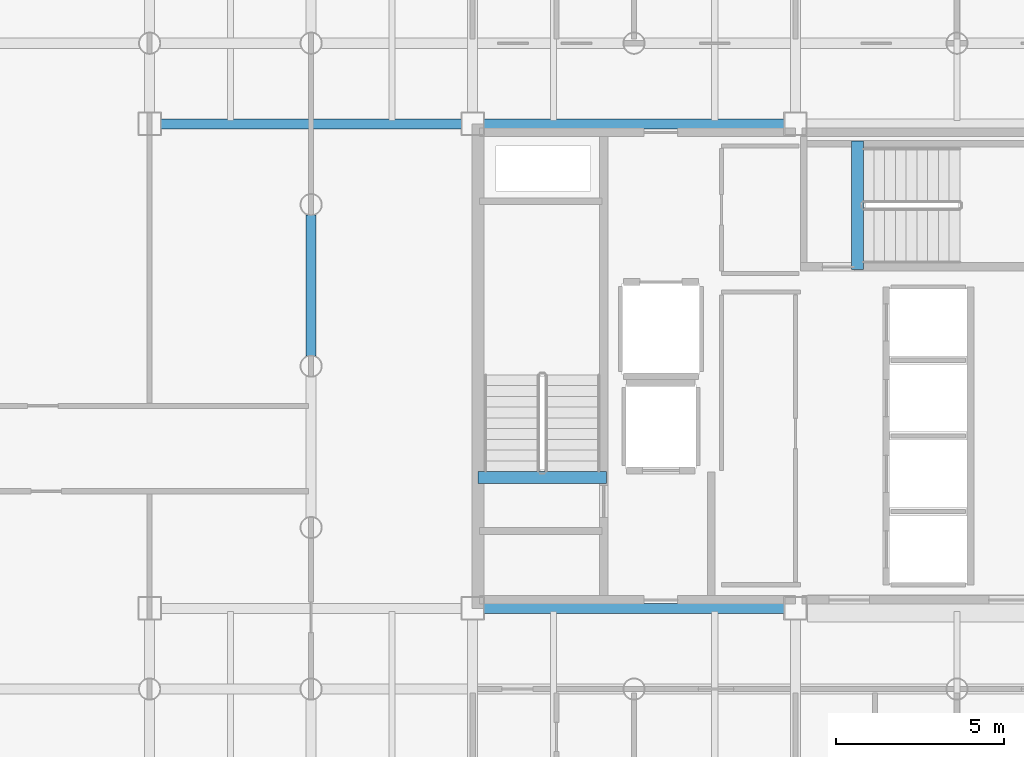
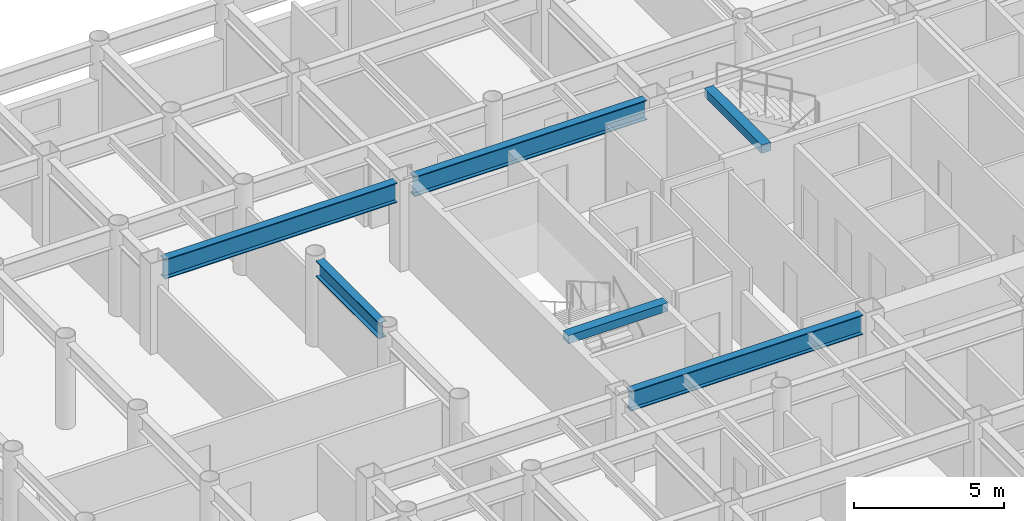
# One storey, part 5 of 20: 6 beams.
"""IFC4 building model written with IfcOpenShell, lengths in metres."""

from ifc_helpers import new_model, si_unit, direction, frame, origin, origin_2d, place, context, subcontext, project, spatial, rectangle, i_section, extrude, material, material_profile, profile_set, type_object, element, save


model = new_model("IFC4")

# Units and contexts
model_context = context("Model", 3, precision=1e-05, world=origin(), true_north=direction((0.0, 1.0)))
body_context = subcontext(model_context, "Body", "Model", "MODEL_VIEW")
ifc_project = project(units=[si_unit("LENGTHUNIT", "METRE"), si_unit("AREAUNIT", "SQUARE_METRE"), si_unit("VOLUMEUNIT", "CUBIC_METRE"), si_unit("PLANEANGLEUNIT", "RADIAN"), si_unit("MASSUNIT", "GRAM", prefix="KILO")], contexts=[model_context])

# Site, building, storey
site_placement = place(None, origin())
site = spatial("IfcSite", under=ifc_project, at=site_placement, CompositionType="ELEMENT")
building_placement = place(site_placement, origin())
building = spatial("IfcBuilding", under=site, at=building_placement, Name="Kallvorn Hotel Tower", CompositionType="ELEMENT")
storey_placement = place(building_placement, frame((0.0, 0.0, 158.10009765625)))
storey = spatial("IfcBuildingStorey", under=building, at=storey_placement, Name="L39", CompositionType="ELEMENT", Elevation=158.10009765625)

# Beams
ifc_material_1 = material(Name="Structural steel S355JR", Category="steel")
ifc_material_profile_1 = material_profile(ifc_material_1, i_section(OverallWidth=0.300048828125, OverallDepth=0.64990234375, WebThickness=0.01611328125, FlangeThickness=0.031005859375, at=origin_2d()), Name="HE 650 B")
ifc_profile_set_1 = profile_set([ifc_material_profile_1], Name="Structural steel S355JR")
beam_type_1 = type_object("IfcBeamType", Name="BM_HE650B", PredefinedType="BEAM", material=ifc_profile_set_1)
beam_1_placement = place(storey_placement, frame((-19.199951171875, 0.304931640625, 3.19482421875), z_axis=(0.0, 1.0, 0.0), x_axis=(-1.0, 0.0, 0.0)))
element("IfcBeam", 1, at=beam_1_placement, inside=storey, type_object=beam_type_1, Name="L40 Primary Y-Girder 94", PredefinedType="BEAM", context=body_context, shape_type="SweptSolid", body=[
    extrude(i_section(OverallWidth=0.300048828125, OverallDepth=0.64990234375, WebThickness=0.01611328125, FlangeThickness=0.031005859375, at=origin_2d()), origin(), (0.0, 0.0, 1.0), 4.190185546875),
])
ifc_material_2 = material(Name="Structural steel S355JR", Category="steel")
ifc_material_profile_2 = material_profile(ifc_material_2, i_section(OverallWidth=0.300048828125, OverallDepth=0.800048828125, WebThickness=0.017578125, FlangeThickness=0.032958984375, at=origin_2d()), Name="HE 800 B")
ifc_profile_set_2 = profile_set([ifc_material_profile_2], Name="Structural steel S355JR")
beam_type_2 = type_object("IfcBeamType", Name="BM_HE800B", PredefinedType="BEAM", material=ifc_profile_set_2)
for number, where, z_axis, x_axis, name in (
    (2, (-14.074951171875, -7.199951171875, 3.119873046875), (1.0, 0.0, 0.0), (0.0, 1.0, 0.0), "L40 Primary X-Girder 34"),
    (3, (-23.675048828125, 7.199951171875, 3.119873046875), (1.0, 0.0, 0.0), (0.0, 1.0, 0.0), "L40 Primary X-Girder 37"),
    (4, (-14.074951171875, 7.199951171875, 3.119873046875), (1.0, 0.0, 0.0), (0.0, 1.0, 0.0), "L40 Primary X-Girder 38"),
):
    element("IfcBeam", number, at=place(storey_placement, frame(where, z_axis=z_axis, x_axis=x_axis)), inside=storey, type_object=beam_type_2, Name=name, PredefinedType="BEAM", context=body_context, shape_type="SweptSolid", body=[
        extrude(i_section(OverallWidth=0.300048828125, OverallDepth=0.800048828125, WebThickness=0.017578125, FlangeThickness=0.032958984375, at=origin_2d()), origin(), (0.0, 0.0, 1.0), 8.949951171875),
    ])
ifc_material_3 = material(Name="Concrete C50/60", Category="concrete")
ifc_material_profile_3 = material_profile(ifc_material_3, rectangle(XDim=0.360107421875, YDim=0.340087890625, at=origin_2d()), Name="RC 360x340")
ifc_profile_set_3 = profile_set([ifc_material_profile_3], Name="Concrete C50/60")
beam_type_3 = type_object("IfcBeamType", Name="BM_RC_400x360", PredefinedType="BEAM", material=ifc_profile_set_3)
beam_2_placement = place(storey_placement, frame((-10.419921875, -3.31005859375, 3.349853515625), z_axis=(-1.0, 0.0, 0.0), x_axis=(0.0, -1.0, 0.0)))
element("IfcBeam", 5, at=beam_2_placement, inside=storey, type_object=beam_type_3, Name="L40 Stair ST1 Arrival Trimmer Beam", PredefinedType="BEAM", context=body_context, shape_type="SweptSolid", body=[
    extrude(rectangle(XDim=0.360107421875, YDim=0.340087890625, at=origin_2d()), origin(), (0.0, 0.0, 1.0), 3.820068359375),
])
beam_3_placement = place(storey_placement, frame((-2.9599609375, 2.8701171875, 3.349853515625), z_axis=(0.0, 1.0, 0.0), x_axis=(-1.0, 0.0, 0.0)))
element("IfcBeam", 6, at=beam_3_placement, inside=storey, type_object=beam_type_3, Name="L40 Stair ST3 Arrival Trimmer Beam", PredefinedType="BEAM", context=body_context, shape_type="SweptSolid", body=[
    extrude(rectangle(XDim=0.360107421875, YDim=0.340087890625, at=origin_2d()), origin(), (0.0, 0.0, 1.0), 3.81982421875),
])

save(model, "model.ifc")
